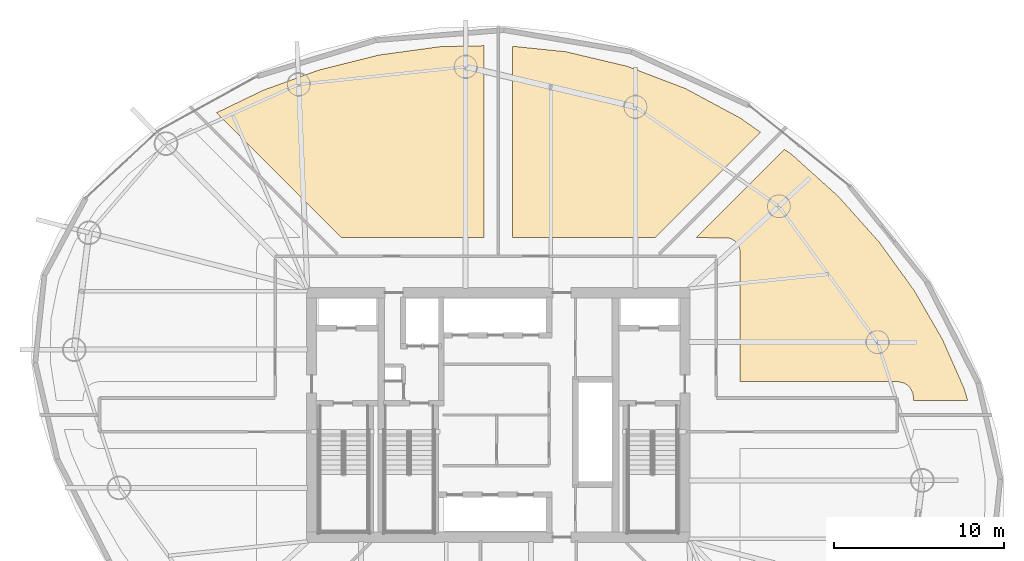
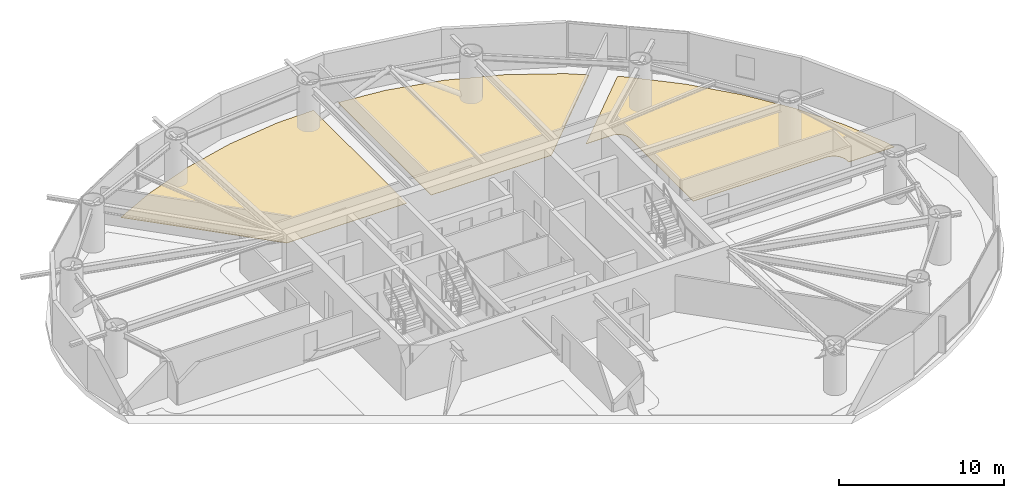
# One storey, part 21 of 21: 3 coverings.
"""IFC4 building model written with IfcOpenShell, lengths in metres."""

from ifc_helpers import new_model, si_unit, direction, frame, origin, place, context, subcontext, project, spatial, polyline, outline, extrude, material, layer, layer_set, type_object, element, save


model = new_model("IFC4")

# Units and contexts
model_context = context("Model", 3, precision=1e-05, world=origin(), true_north=direction((0.0, 1.0)))
body_context = subcontext(model_context, "Body", "Model", "MODEL_VIEW")
ifc_project = project(units=[si_unit("LENGTHUNIT", "METRE"), si_unit("AREAUNIT", "SQUARE_METRE"), si_unit("VOLUMEUNIT", "CUBIC_METRE"), si_unit("PLANEANGLEUNIT", "RADIAN"), si_unit("MASSUNIT", "GRAM", prefix="KILO")], contexts=[model_context])

# Site, building, storey
site_placement = place(None, origin())
site = spatial("IfcSite", under=ifc_project, at=site_placement, CompositionType="ELEMENT")
building_placement = place(site_placement, origin())
building = spatial("IfcBuilding", under=site, at=building_placement, Name="Bramvorn Convention Spire", CompositionType="ELEMENT")
storey_placement = place(building_placement, frame((0.0, 0.0, 102.800048828125)))
storey = spatial("IfcBuildingStorey", under=building, at=storey_placement, Name="L24", CompositionType="ELEMENT", Elevation=102.800048828125)

# Coverings
ifc_material = material(Name="Honed Dolomitic Limestone Terrazzo Flooring", Category="masonry")
ifc_layer = layer(ifc_material, 0.02490234375)
ifc_layer_set = layer_set([ifc_layer], Name="Honed Dolomitic Limestone Terrazzo Flooring - FLR-TERRAZZO-25")
covering_type = type_object("IfcCoveringType", Name="FLR-TERRAZZO-25", PredefinedType="FLOORING", material=ifc_layer_set)
covering_1_placement = place(storey_placement, origin())
element("IfcCovering", 1, at=covering_1_placement, inside=storey, type_object=covering_type, Name="L24 Mid-Rise Reception & Transfer Lobby 1 raised floor finish", PredefinedType="FLOORING", context=body_context, shape_type="SweptSolid", body=[
    extrude(outline(polyline([(55.31201171875, 41.333984375), (54.8583984375, 41.65625), (49.652099609375, 36.449951171875), (51.56591796875, 36.43359375), (51.80078125, 36.349609375), (52.0009765625, 36.200927734375), (52.106689453125, 36.072265625), (52.21337890625, 35.8466796875), (52.25, 35.60009765625), (52.25, 27.969970703125), (61.553466796875, 27.968505859375), (61.919921875, 27.874267578125), (62.08251953125, 27.775390625), (62.275390625, 27.58251953125), (62.439453125, 27.241455078125), (62.469970703125, 26.85009765625), (65.660888671875, 26.85009765625), (65.4384765625, 27.58349609375), (64.17236328125, 30.452880859375), (62.50146484375, 33.34521484375), (60.448974609375, 36.181884765625), (58.041748046875, 38.87451171875), (55.31201171875, 41.333984375)])), origin(), (0.0, 0.0, 1.0), 0.02490234375),
])
covering_2_placement = place(storey_placement, origin())
element("IfcCovering", 2, at=covering_2_placement, inside=storey, type_object=covering_type, Name="L24 Sky Bar & Dining Lounge 2 raised floor finish", PredefinedType="FLOORING", context=body_context, shape_type="SweptSolid", body=[
    extrude(outline(polyline([(38.85009765625, 36.449951171875), (47.247802734375, 36.449951171875), (53.45263671875, 42.65478515625), (52.2958984375, 43.4765625), (49.035400390625, 45.23291015625), (45.577880859375, 46.551513671875), (41.97705078125, 47.404296875), (38.85009765625, 47.726806640625), (38.85009765625, 36.449951171875)])), origin(), (0.0, 0.0, 1.0), 0.02490234375),
])
covering_3_placement = place(storey_placement, origin())
element("IfcCovering", 3, at=covering_3_placement, inside=storey, type_object=covering_type, Name="L24 Espresso & Bakery Kitchen 3 raised floor finish", PredefinedType="FLOORING", context=body_context, shape_type="SweptSolid", body=[
    extrude(outline(polyline([(28.752197265625, 36.449951171875), (37.14990234375, 36.449951171875), (37.14990234375, 47.760498046875), (34.594482421875, 47.70751953125), (30.9541015625, 47.207763671875), (27.44970703125, 46.333740234375), (24.15771484375, 45.141357421875), (21.3955078125, 43.806640625), (28.752197265625, 36.449951171875)])), origin(), (0.0, 0.0, 1.0), 0.02490234375),
])

save(model, "model.ifc")
